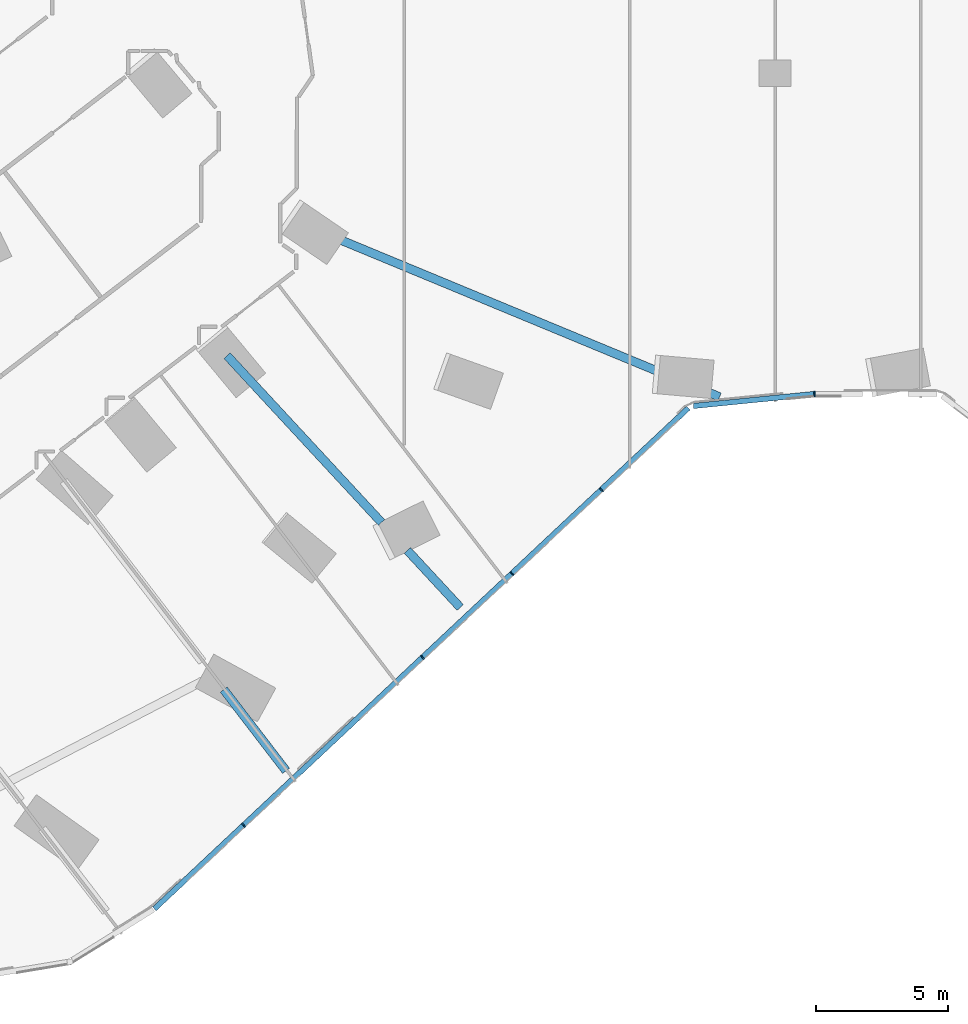
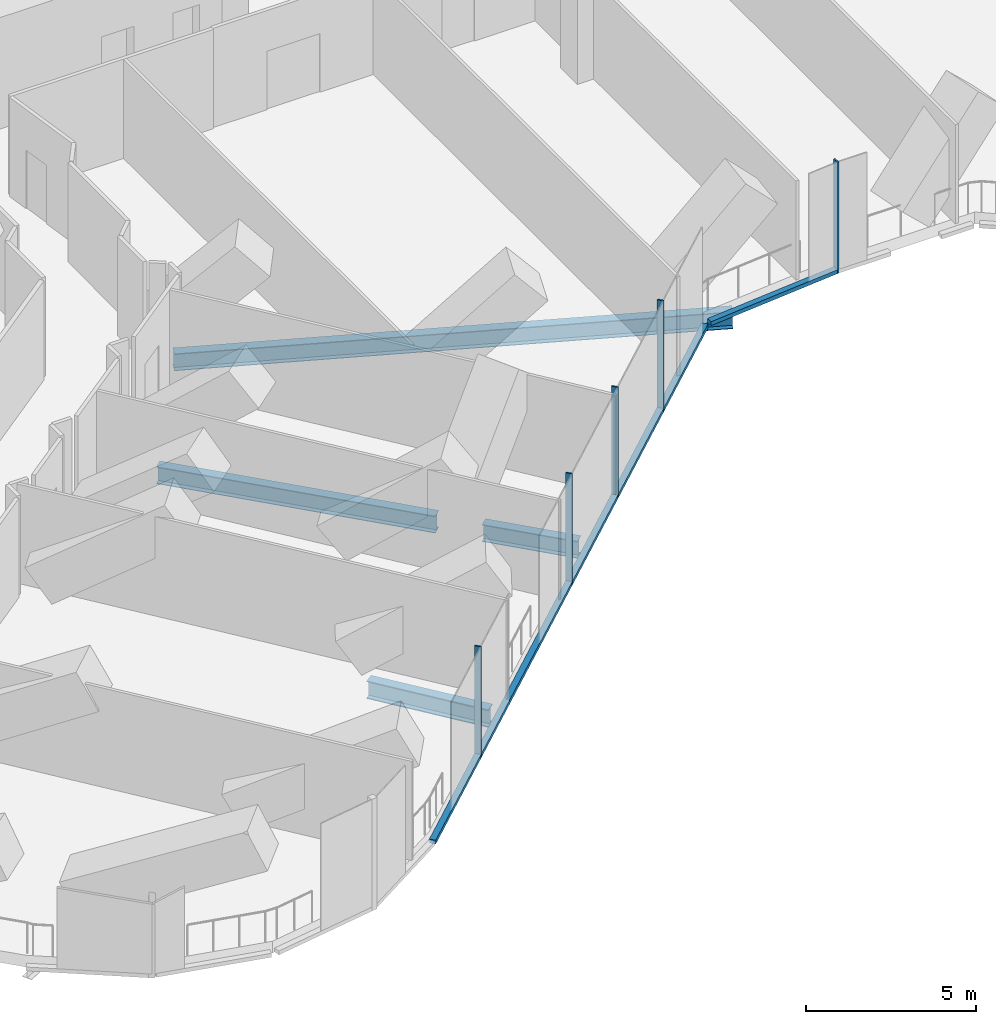
# One storey, part 4 of 32: 7 members, 4 beams, 2 elements without a shape of their own.
"""IFC4 building model written with IfcOpenShell, lengths in metres."""

from ifc_helpers import new_model, si_unit, direction, frame, origin, origin_2d, place, context, subcontext, project, spatial, rectangle, i_section, extrude, material, material_profile, profile_set, type_object, element, aggregate, save


model = new_model("IFC4")

# Units and contexts
model_context = context("Model", 3, precision=1e-05, world=origin(), true_north=direction((0.0, 1.0)))
body_context = subcontext(model_context, "Body", "Model", "MODEL_VIEW")
ifc_project = project(units=[si_unit("LENGTHUNIT", "METRE"), si_unit("AREAUNIT", "SQUARE_METRE"), si_unit("VOLUMEUNIT", "CUBIC_METRE"), si_unit("PLANEANGLEUNIT", "RADIAN"), si_unit("MASSUNIT", "GRAM", prefix="KILO")], contexts=[model_context])

# Site, building, storey
site_placement = place(None, origin())
site = spatial("IfcSite", under=ifc_project, at=site_placement, CompositionType="ELEMENT")
building_placement = place(site_placement, origin())
building = spatial("IfcBuilding", under=site, at=building_placement, Name="Orlundy Tower", CompositionType="ELEMENT")
storey_placement = place(building_placement, frame((0.0, 0.0, 33.300048828125)))
storey = spatial("IfcBuildingStorey", under=building, at=storey_placement, Name="L06", CompositionType="ELEMENT", Elevation=33.300048828125)

# Beams
ifc_material_1 = material(Name="Steel ASTM A992 Gr 50", Category="steel")
ifc_material_profile_1 = material_profile(ifc_material_1, i_section(OverallWidth=0.32373046875, OverallDepth=0.611083984375, WebThickness=0.0126953125, FlangeThickness=0.01904296875, at=origin_2d()), Name="W24X104")
ifc_profile_set_1 = profile_set([ifc_material_profile_1], Name="Steel ASTM A992 Gr 50")
beam_type_1 = type_object("IfcBeamType", Name="CANTILEVER GIRDER beam W24X104", PredefinedType="BEAM", material=ifc_profile_set_1)
beam_1_placement = place(storey_placement, frame((-11.88818359375, -38.160888671875, -0.7255859375), z_axis=(-0.679505913079, 0.733670030798, 0.0), x_axis=(-0.733670030798, -0.679505913079, 0.0)))
element("IfcBeam", 1, at=beam_1_placement, inside=storey, type_object=beam_type_1, Name="Cantilever girder C-B5-1 L06", PredefinedType="BEAM", context=body_context, shape_type="SweptSolid", body=[
    extrude(i_section(OverallWidth=0.32373046875, OverallDepth=0.611083984375, WebThickness=0.0126953125, FlangeThickness=0.01904296875, at=origin_2d()), origin(), (0.0, 0.0, 1.0), 2.934326171875),
])
beam_2_placement = place(storey_placement, frame((-14.860107421875, -34.951904296875, -0.7255859375), z_axis=(-0.679473838017, 0.733699736575, 0.0), x_axis=(-0.733699736575, -0.679473838017, 0.0)))
element("IfcBeam", 2, at=beam_2_placement, inside=storey, type_object=beam_type_1, Name="Back-span girder C-B5-1 L06", PredefinedType="BEAM", context=body_context, shape_type="SweptSolid", body=[
    extrude(i_section(OverallWidth=0.32373046875, OverallDepth=0.611083984375, WebThickness=0.0126953125, FlangeThickness=0.01904296875, at=origin_2d()), origin(), (0.0, 0.0, 1.0), 8.581298828125),
])
beam_3_placement = place(storey_placement, frame((-2.095947265625, -30.213134765625, -0.7255859375), z_axis=(-0.923878889839, 0.382684983911, 0.0), x_axis=(-0.382684983911, -0.923878889839, 0.0)))
element("IfcBeam", 3, at=beam_3_placement, inside=storey, type_object=beam_type_1, Name="Cantilever girder C-H09 L06", PredefinedType="BEAM", context=body_context, shape_type="SweptSolid", body=[
    extrude(i_section(OverallWidth=0.32373046875, OverallDepth=0.611083984375, WebThickness=0.0126953125, FlangeThickness=0.01904296875, at=origin_2d()), origin(), (0.0, 0.0, 1.0), 16.566650390625),
])
ifc_material_2 = material(Name="Steel ASTM A992 Gr 50", Category="steel")
ifc_material_profile_2 = material_profile(ifc_material_2, i_section(OverallWidth=0.3291015625, OverallDepth=0.635009765625, WebThickness=0.017822265625, FlangeThickness=0.031005859375, at=origin_2d()), Name="W24X162")
ifc_profile_set_2 = profile_set([ifc_material_profile_2], Name="Steel ASTM A992 Gr 50")
beam_type_2 = type_object("IfcBeamType", Name="CANTILEVER GIRDER beam W24X162", PredefinedType="BEAM", material=ifc_profile_set_2)
beam_4_placement = place(storey_placement, frame((-18.462646484375, -44.32958984375, -0.737548828125), z_axis=(-0.608773499978, 0.793344077765, 0.0), x_axis=(-0.793344077765, -0.608773499978, 0.0)))
element("IfcBeam", 4, at=beam_4_placement, inside=storey, type_object=beam_type_2, Name="Cantilever girder C-B5-2 L06", PredefinedType="BEAM", context=body_context, shape_type="SweptSolid", body=[
    extrude(i_section(OverallWidth=0.3291015625, OverallDepth=0.635009765625, WebThickness=0.017822265625, FlangeThickness=0.031005859375, at=origin_2d()), origin(), (0.0, 0.0, 1.0), 3.866455078125),
])

# Curtain wall, member
ifc_material_3 = material(Name="Aluminium bronze anodised", Category="aluminium")
curtain_wall_type = type_object("IfcCurtainWallType", Name="CW5 wall", PredefinedType="NOTDEFINED", material=ifc_material_3)
curtain_wall_1_placement = place(storey_placement, origin())
curtain_wall_1 = element("IfcCurtainWall", 5, at=curtain_wall_1_placement, inside=storey, type_object=curtain_wall_type, Name="CW5 run 029", PredefinedType="NOTDEFINED")
ifc_material_4 = material(Name="Aluminium bronze anodised", Category="aluminium")
ifc_material_profile_3 = material_profile(ifc_material_4, rectangle(XDim=0.199951171875, YDim=0.050048828125, at=origin_2d()), Name="CW5 mullion 50x200")
ifc_profile_set_3 = profile_set([ifc_material_profile_3], Name="Aluminium bronze anodised")
member_type_1 = type_object("IfcMemberType", Name="CW5 mullion 50x200", PredefinedType="MULLION", material=ifc_profile_set_3)
member_1_placement = place(storey_placement, frame((1.490966796875, -30.10009765625, -0.420166015625), z_axis=(0.0, 0.0, 1.0), x_axis=(0.049437832793, -0.998777202728, 0.0)))
member_1 = element("IfcMember", 6, at=member_1_placement, type_object=member_type_1, Name="CW5 mullion 49", PredefinedType="MULLION", context=body_context, shape_type="SweptSolid", body=[
    extrude(rectangle(XDim=0.199951171875, YDim=0.050048828125, at=origin_2d()), origin(), (0.0, 0.0, 1.0), 4.0),
])

# Curtain wall, members
curtain_wall_2_placement = place(storey_placement, origin())
curtain_wall_2 = element("IfcCurtainWall", 7, at=curtain_wall_2_placement, inside=storey, type_object=curtain_wall_type, Name="CW5 run 030", PredefinedType="NOTDEFINED")
member_2_placement = place(storey_placement, frame((-6.55908203125, -33.7109375, -0.420166015625), z_axis=(0.0, 0.0, 1.0), x_axis=(0.684124281784, -0.729365455086, 0.0)))
member_2 = element("IfcMember", 8, at=member_2_placement, type_object=member_type_1, Name="CW5 mullion 51", PredefinedType="MULLION", context=body_context, shape_type="SweptSolid", body=[
    extrude(rectangle(XDim=0.199951171875, YDim=0.050048828125, at=origin_2d()), origin(), (0.0, 0.0, 1.0), 4.0),
])
member_3_placement = place(storey_placement, frame((-9.9365234375, -36.87890625, -0.420166015625), z_axis=(0.0, 0.0, 1.0), x_axis=(0.684124281784, -0.729365455086, 0.0)))
member_3 = element("IfcMember", 9, at=member_3_placement, type_object=member_type_1, Name="CW5 mullion 52", PredefinedType="MULLION", context=body_context, shape_type="SweptSolid", body=[
    extrude(rectangle(XDim=0.199951171875, YDim=0.050048828125, at=origin_2d()), origin(), (0.0, 0.0, 1.0), 4.0),
])
member_4_placement = place(storey_placement, frame((-13.314208984375, -40.046875, -0.420166015625), z_axis=(0.0, 0.0, 1.0), x_axis=(0.684124281784, -0.729365455086, 0.0)))
member_4 = element("IfcMember", 10, at=member_4_placement, type_object=member_type_1, Name="CW5 mullion 53", PredefinedType="MULLION", context=body_context, shape_type="SweptSolid", body=[
    extrude(rectangle(XDim=0.199951171875, YDim=0.050048828125, at=origin_2d()), origin(), (0.0, 0.0, 1.0), 4.0),
])
member_5_placement = place(storey_placement, frame((-20.069091796875, -46.383056640625, -0.420166015625), z_axis=(0.0, 0.0, 1.0), x_axis=(0.684124281784, -0.729365455086, 0.0)))
member_5 = element("IfcMember", 11, at=member_5_placement, type_object=member_type_1, Name="CW5 mullion 55", PredefinedType="MULLION", context=body_context, shape_type="SweptSolid", body=[
    extrude(rectangle(XDim=0.199951171875, YDim=0.050048828125, at=origin_2d()), origin(), (0.0, 0.0, 1.0), 4.0),
])

# Member
ifc_material_5 = material(Name="Aluminium bronze anodised", Category="aluminium")
ifc_material_profile_4 = material_profile(ifc_material_5, rectangle(XDim=0.199951171875, YDim=0.139892578125, at=origin_2d()), Name="CW5 transom 200x140")
ifc_profile_set_4 = profile_set([ifc_material_profile_4], Name="Aluminium bronze anodised")
member_type_2 = type_object("IfcMemberType", Name="CW5 transom 200x140", PredefinedType="USERDEFINED", material=ifc_profile_set_4)
member_6_placement = place(storey_placement, frame((1.466064453125, -30.1025390625, -0.35009765625), z_axis=(-0.995113078527, -0.098741890524, 0.0), x_axis=(0.098741890524, -0.995113078527, 0.0)))
member_6 = element("IfcMember", 12, at=member_6_placement, type_object=member_type_2, Name="CW5 transom", ObjectType="TRANSOM", PredefinedType="USERDEFINED", context=body_context, shape_type="SweptSolid", body=[
    extrude(rectangle(XDim=0.199951171875, YDim=0.139892578125, at=origin_2d()), origin(), (0.0, 0.0, 1.0), 4.569091796875),
])

aggregate(curtain_wall_1, [member_1, member_6])

member_7_placement = place(storey_placement, frame((-3.279296875, -30.634521484375, -0.35009765625), z_axis=(-0.729365269104, -0.684124480065, 0.0), x_axis=(0.684124480065, -0.729365269104, 0.0)))
member_7 = element("IfcMember", 13, at=member_7_placement, type_object=member_type_2, Name="CW5 transom", ObjectType="TRANSOM", PredefinedType="USERDEFINED", context=body_context, shape_type="SweptSolid", body=[
    extrude(rectangle(XDim=0.199951171875, YDim=0.139892578125, at=origin_2d()), origin(), (0.0, 0.0, 1.0), 27.63525390625),
])

aggregate(curtain_wall_2, [member_2, member_3, member_4, member_5, member_7])

save(model, "model.ifc")
